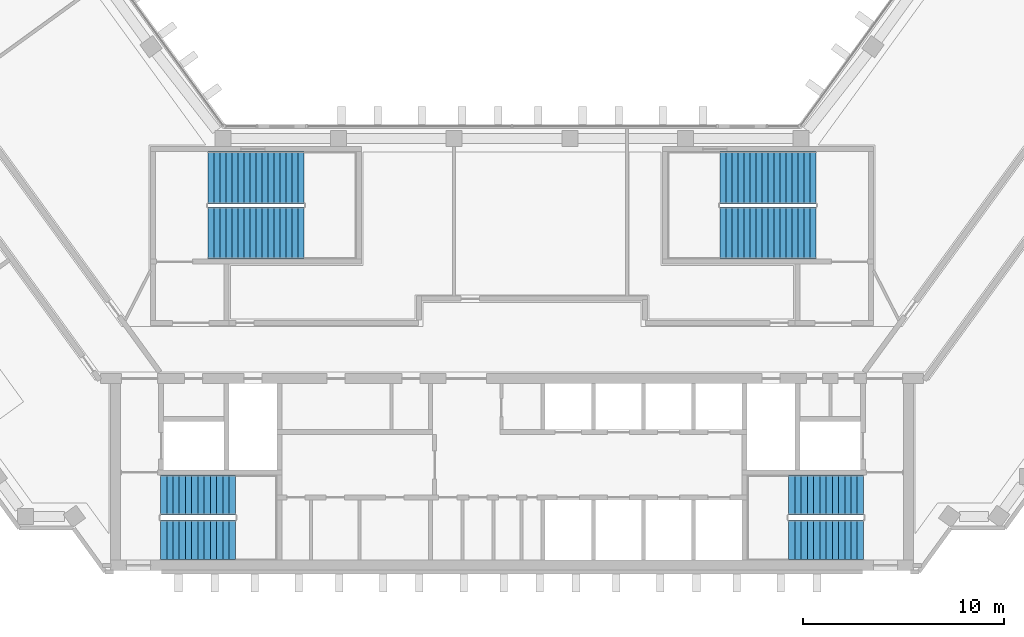
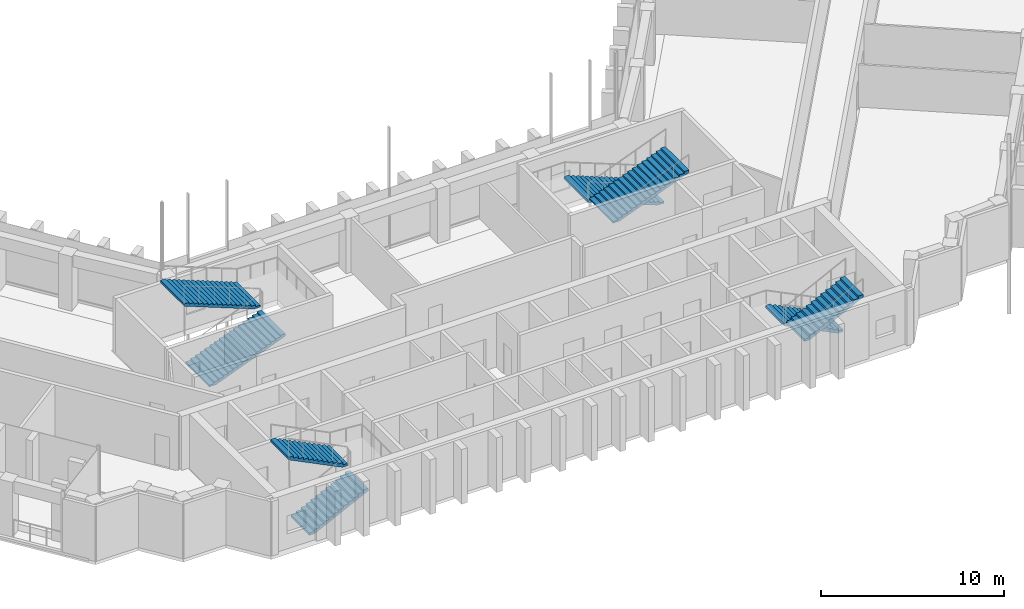
# One storey, part 13 of 15: 8 stair flights, 4 elements without a shape of their own.
"""IFC4 building model written with IfcOpenShell, lengths in metres."""

import ifcopenshell
import ifcopenshell.guid

model = None  # the IFC model being written
_history = None  # IfcOwnerHistory: only IFC2X3 demands one
_inside = {}  # id of a spatial element -> (the spatial element, [elements in it])
_under = {}  # id of a project, library or spatial element -> (it, [spatial elements below it])
_declared = {}  # id of a project -> (the project, [libraries it declares])
_typed = {}  # id of a type object -> (the type object, [elements of that type])
_made_of = {}  # id of a material, layer set ... -> (it, [elements and type objects made of it])


def new_model(schema):
    """Start an empty IFC model of exactly this schema.

    Asked for "IFC4X3", IfcOpenShell would pick the latest addendum, in which some entities
    have other attributes; the version numbers below select the first issue.
    IFC2X3 requires an IfcOwnerHistory on every rooted entity: one is made here for all.
    """
    global model, _history
    if schema == "IFC4X3":
        model = ifcopenshell.file(schema_version=(4, 3, 0, 0))
    else:
        model = ifcopenshell.file(schema=schema)
    _inside.clear()
    _under.clear()
    _declared.clear()
    _typed.clear()
    _made_of.clear()
    _history = None
    if model.schema == "IFC2X3":
        org = make("IfcOrganization", Name="unknown")
        user = make(
            "IfcPersonAndOrganization",
            ThePerson=make("IfcPerson", FamilyName="unknown"),
            TheOrganization=org,
        )
        app = make(
            "IfcApplication",
            ApplicationDeveloper=org,
            Version="unknown",
            ApplicationFullName="unknown",
            ApplicationIdentifier="unknown",
        )
        _history = make(
            "IfcOwnerHistory",
            OwningUser=user,
            OwningApplication=app,
            ChangeAction="ADDED",
            CreationDate=0,
        )
    return model


def make(cls, **values):
    """One entity of the class cls with the attributes given. An attribute that is None is left unset."""
    return model.create_entity(
        cls, **{name: value for name, value in values.items() if value is not None}
    )


def rooted(cls, **values):
    """An entity with a GlobalId (a new one), such as an element, a storey or a relation."""
    return make(cls, GlobalId=ifcopenshell.guid.new(), OwnerHistory=_history, **values)


def si_unit(unit_type, name, prefix=None):
    """IfcSIUnit, for example si_unit("LENGTHUNIT", "METRE", prefix="MILLI")."""
    return make("IfcSIUnit", UnitType=unit_type, Prefix=prefix, Name=name)


def assignment(units):
    """IfcUnitAssignment: the units of a project."""
    return None if units is None else make("IfcUnitAssignment", Units=units)


def point(xyz):
    """IfcCartesianPoint."""
    return None if xyz is None else make("IfcCartesianPoint", Coordinates=xyz)


def direction(xyz):
    """IfcDirection."""
    return None if xyz is None else make("IfcDirection", DirectionRatios=xyz)


def frame(location, z_axis=None, x_axis=None):
    """IfcAxis2Placement3D, a coordinate frame: its origin and axes. An axis left out is left unset."""
    return make(
        "IfcAxis2Placement3D",
        Location=point(location),
        Axis=direction(z_axis),
        RefDirection=direction(x_axis),
    )


def origin():
    """The frame at (0, 0, 0) with its axes left unset."""
    return frame((0.0, 0.0, 0.0))


def place(relative_to, where):
    """IfcLocalPlacement: puts the frame where relative to a parent placement (None: the world)."""
    return make(
        "IfcLocalPlacement", PlacementRelTo=relative_to, RelativePlacement=where
    )


def context(
    kind, dimensions, precision=None, world=None, true_north=None, identifier=None
):
    """IfcGeometricRepresentationContext, for example the 3D "Model" context."""
    return make(
        "IfcGeometricRepresentationContext",
        ContextIdentifier=identifier,
        ContextType=kind,
        CoordinateSpaceDimension=dimensions,
        Precision=precision,
        WorldCoordinateSystem=world,
        TrueNorth=true_north,
    )


def subcontext(parent, identifier, kind, view, scale=None):
    """IfcGeometricRepresentationSubContext, for example "Body" below "Model"."""
    return make(
        "IfcGeometricRepresentationSubContext",
        ContextIdentifier=identifier,
        ContextType=kind,
        ParentContext=parent,
        TargetScale=scale,
        TargetView=view,
    )


def project(units=None, contexts=None):
    """IfcProject with its units and contexts."""
    return rooted(
        "IfcProject",
        Name="project",
        RepresentationContexts=contexts,
        UnitsInContext=assignment(units),
    )


def spatial(cls, under=None, at=None, **own):
    """A site, building, storey or space (cls), placed at a placement, below another one or the project."""
    s = rooted(cls, ObjectPlacement=at, **own)
    if under is not None:
        _under.setdefault(under.id(), (under, []))[1].append(s)
    return s


def polyline(points):
    """IfcPolyline through the points."""
    return make("IfcPolyline", Points=[point(p) for p in points])


def outline(outer, holes=None, kind="AREA"):
    """IfcArbitraryClosedProfileDef: a profile drawn as a closed curve; with holes, ...WithVoids."""
    if holes is None:
        return make("IfcArbitraryClosedProfileDef", ProfileType=kind, OuterCurve=outer)
    return make(
        "IfcArbitraryProfileDefWithVoids",
        ProfileType=kind,
        OuterCurve=outer,
        InnerCurves=holes,
    )


def extrude(swept, where, along, depth):
    """IfcExtrudedAreaSolid: the profile swept, set in the frame where, extruded along a direction by depth."""
    return make(
        "IfcExtrudedAreaSolid",
        SweptArea=swept,
        Position=where,
        ExtrudedDirection=direction(along),
        Depth=depth,
    )


def shape(context_of_items, identifier, shape_type, items):
    """IfcShapeRepresentation: the items that make up one representation, for example the "Body"."""
    return make(
        "IfcShapeRepresentation",
        ContextOfItems=context_of_items,
        RepresentationIdentifier=identifier,
        RepresentationType=shape_type,
        Items=items,
    )


def material(Name=None, Category=None):
    """IfcMaterial."""
    return make("IfcMaterial", Name=Name, Category=Category)


def made_of(thing, what):
    """Note that an element or type object is made of a material, layer set ...; save() writes the relation."""
    if what is not None:
        _made_of.setdefault(what.id(), (what, []))[1].append(thing)
    return thing


def type_object(cls, material=None, **own):
    """A type object (cls), such as IfcWallType, which elements share."""
    return made_of(rooted(cls, **own), material)


def element(
    cls,
    number,
    at=None,
    inside=None,
    cuts=None,
    type_object=None,
    material=None,
    context=None,
    identifier="Body",
    shape_type=None,
    held_by="IfcProductDefinitionShape",
    body=None,
    shapes=None,
    **own,
):
    """One element of the class cls, such as IfcWall. Its Tag is "e" and its number.

    at: its placement. inside: the storey or other place that contains it. cuts: it is an
    opening in that element (IfcRelVoidsElement). A single representation is given by context,
    identifier, shape_type and body (its items); several are given by shapes. held_by: the class
    of the entity that holds the representations. save() writes the other relations.
    """
    e = rooted(cls, Tag="e%d" % number, ObjectPlacement=at, **own)
    if body is not None:
        shapes = [shape(context, identifier, shape_type, body)]
    if shapes is not None:
        e.Representation = make(held_by, Representations=shapes)
    if inside is not None:
        _inside.setdefault(inside.id(), (inside, []))[1].append(e)
    if cuts is not None:
        rooted(
            "IfcRelVoidsElement", RelatingBuildingElement=cuts, RelatedOpeningElement=e
        )
    if type_object is not None:
        _typed.setdefault(type_object.id(), (type_object, []))[1].append(e)
    return made_of(e, material)


def aggregate(whole, parts):
    """IfcRelAggregates: a whole, such as a stair, and the parts it consists of."""
    return rooted("IfcRelAggregates", RelatingObject=whole, RelatedObjects=parts)


def save(model, path):
    """Write the relations noted so far, then the file.

    IfcRelAggregates (storeys below a building ...), IfcRelContainedInSpatialStructure (elements
    in a storey), IfcRelDefinesByType, IfcRelAssociatesMaterial and IfcRelDeclares: one each for
    every whole, place, type object, material and project.
    """
    for whole, parts in _under.values():
        aggregate(whole, parts)
    for where, things in _inside.values():
        rooted(
            "IfcRelContainedInSpatialStructure",
            RelatedElements=things,
            RelatingStructure=where,
        )
    for kind, things in _typed.values():
        rooted("IfcRelDefinesByType", RelatedObjects=things, RelatingType=kind)
    for what, things in _made_of.values():
        rooted("IfcRelAssociatesMaterial", RelatedObjects=things, RelatingMaterial=what)
    for by, libraries in _declared.values():
        rooted("IfcRelDeclares", RelatingContext=by, RelatedDefinitions=libraries)
    model.write(path)


model = new_model("IFC4")

# Units and contexts
model_context = context("Model", 3, precision=1e-05, world=origin(), true_north=direction((0.0, 1.0)))
body_context = subcontext(model_context, "Body", "Model", "MODEL_VIEW")
ifc_project = project(units=[si_unit("LENGTHUNIT", "METRE"), si_unit("AREAUNIT", "SQUARE_METRE"), si_unit("VOLUMEUNIT", "CUBIC_METRE"), si_unit("PLANEANGLEUNIT", "RADIAN"), si_unit("MASSUNIT", "GRAM", prefix="KILO")], contexts=[model_context])

# Site, building, storey
site_placement = place(None, origin())
site = spatial("IfcSite", under=ifc_project, at=site_placement, CompositionType="ELEMENT")
building_placement = place(site_placement, origin())
building = spatial("IfcBuilding", under=site, at=building_placement, Name="Quipu Civic Tower", CompositionType="ELEMENT")
storey_placement = place(building_placement, frame((0.0, 0.0, 160.0)))
storey = spatial("IfcBuildingStorey", under=building, at=storey_placement, Name="L37", CompositionType="ELEMENT", Elevation=160.0)

# Stair, stair flights
ifc_material_1 = material(Name="Concrete C40/50", Category="concrete")
stair_type_1 = type_object("IfcStairType", Name="Half turn stair 2000", PredefinedType="HALF_TURN_STAIR", material=ifc_material_1)
stair_1_placement = place(storey_placement, origin())
stair_1 = element("IfcStair", 1, at=stair_1_placement, inside=storey, type_object=stair_type_1, Name="Exit stair 1", PredefinedType="HALF_TURN_STAIR")
ifc_material_2 = material(Name="Concrete C40/50", Category="concrete")
stair_flight_type_1 = type_object("IfcStairFlightType", Name="Stair flight 2000", PredefinedType="STRAIGHT", material=ifc_material_2)
stair_flight_1_placement = place(storey_placement, frame((-17.5, -9.5, 0.0), z_axis=(0.0, 0.0, 1.0), x_axis=(1.0, 0.0, 0.0)))
stair_flight_1 = element("IfcStairFlight", 2, at=stair_flight_1_placement, type_object=stair_flight_type_1, Name="ST-1 flight 1", NumberOfRisers=13, NumberOfTreads=12, PredefinedType="STRAIGHT", RiserHeight=0.153846154, TreadLength=0.31, context=body_context, shape_type="SweptSolid", body=[
    extrude(outline(polyline([(0.0, 0.0), (0.0, 0.15380859375), (0.31005859375, 0.15380859375), (0.31005859375, 0.3076171875), (0.6201171875, 0.3076171875), (0.6201171875, 0.46142578125), (0.929931640625, 0.46142578125), (0.929931640625, 0.615478515625), (1.239990234375, 0.615478515625), (1.239990234375, 0.769287109375), (1.550048828125, 0.769287109375), (1.550048828125, 0.923095703125), (1.860107421875, 0.923095703125), (1.860107421875, 1.076904296875), (2.169921875, 1.076904296875), (2.169921875, 1.230712890625), (2.47998046875, 1.230712890625), (2.47998046875, 1.384521484375), (2.7900390625, 1.384521484375), (2.7900390625, 1.53857421875), (3.10009765625, 1.53857421875), (3.10009765625, 1.6923828125), (3.409912109375, 1.6923828125), (3.409912109375, 1.84619140625), (3.719970703125, 1.84619140625), (3.719970703125, 2.0), (3.719970703125, 1.6787109375), (0.337158203125, 0.0), (0.0, 0.0)])), frame((0.0, 1.0, 0.0), z_axis=(0.0, -1.0, 0.0), x_axis=(1.0, 0.0, 0.0)), (0.0, 0.0, 1.0), 2.0),
])
stair_flight_2_placement = place(storey_placement, frame((-13.780029296875, -7.25, 2.0), z_axis=(0.0, 0.0, 1.0), x_axis=(-1.0, 0.0, 0.0)))
stair_flight_2 = element("IfcStairFlight", 3, at=stair_flight_2_placement, type_object=stair_flight_type_1, Name="ST-1 flight 2", NumberOfRisers=13, NumberOfTreads=12, PredefinedType="STRAIGHT", RiserHeight=0.153846154, TreadLength=0.31, context=body_context, shape_type="SweptSolid", body=[
    extrude(outline(polyline([(0.0, 0.0), (0.0, 0.15380859375), (0.31005859375, 0.15380859375), (0.31005859375, 0.3076171875), (0.6201171875, 0.3076171875), (0.6201171875, 0.46142578125), (0.929931640625, 0.46142578125), (0.929931640625, 0.615478515625), (1.239990234375, 0.615478515625), (1.239990234375, 0.769287109375), (1.550048828125, 0.769287109375), (1.550048828125, 0.923095703125), (1.860107421875, 0.923095703125), (1.860107421875, 1.076904296875), (2.169921875, 1.076904296875), (2.169921875, 1.230712890625), (2.47998046875, 1.230712890625), (2.47998046875, 1.384521484375), (2.7900390625, 1.384521484375), (2.7900390625, 1.53857421875), (3.10009765625, 1.53857421875), (3.10009765625, 1.6923828125), (3.409912109375, 1.6923828125), (3.409912109375, 1.84619140625), (3.719970703125, 1.84619140625), (3.719970703125, 2.0), (3.719970703125, 1.6787109375), (0.337158203125, 0.0), (0.0, 0.0)])), frame((0.0, 1.0, 0.0), z_axis=(0.0, -1.0, 0.0), x_axis=(1.0, 0.0, 0.0)), (0.0, 0.0, 1.0), 2.0),
])
aggregate(stair_1, [stair_flight_1, stair_flight_2])

stair_2_placement = place(storey_placement, origin())
stair_2 = element("IfcStair", 4, at=stair_2_placement, inside=storey, type_object=stair_type_1, Name="Exit stair 2", PredefinedType="HALF_TURN_STAIR")
stair_flight_3_placement = place(storey_placement, frame((17.5, -7.25, 0.0), z_axis=(0.0, 0.0, 1.0), x_axis=(-1.0, 0.0, 0.0)))
stair_flight_3 = element("IfcStairFlight", 5, at=stair_flight_3_placement, type_object=stair_flight_type_1, Name="ST-2 flight 1", NumberOfRisers=13, NumberOfTreads=12, PredefinedType="STRAIGHT", RiserHeight=0.153846154, TreadLength=0.31, context=body_context, shape_type="SweptSolid", body=[
    extrude(outline(polyline([(0.0, 0.0), (0.0, 0.15380859375), (0.31005859375, 0.15380859375), (0.31005859375, 0.3076171875), (0.6201171875, 0.3076171875), (0.6201171875, 0.46142578125), (0.929931640625, 0.46142578125), (0.929931640625, 0.615478515625), (1.239990234375, 0.615478515625), (1.239990234375, 0.769287109375), (1.550048828125, 0.769287109375), (1.550048828125, 0.923095703125), (1.860107421875, 0.923095703125), (1.860107421875, 1.076904296875), (2.169921875, 1.076904296875), (2.169921875, 1.230712890625), (2.47998046875, 1.230712890625), (2.47998046875, 1.384521484375), (2.7900390625, 1.384521484375), (2.7900390625, 1.53857421875), (3.10009765625, 1.53857421875), (3.10009765625, 1.6923828125), (3.409912109375, 1.6923828125), (3.409912109375, 1.84619140625), (3.719970703125, 1.84619140625), (3.719970703125, 2.0), (3.719970703125, 1.6787109375), (0.337158203125, 0.0), (0.0, 0.0)])), frame((0.0, 1.0, 0.0), z_axis=(0.0, -1.0, 0.0), x_axis=(1.0, 0.0, 0.0)), (0.0, 0.0, 1.0), 2.0),
])
stair_flight_4_placement = place(storey_placement, frame((13.780029296875, -9.5, 2.0), z_axis=(0.0, 0.0, 1.0), x_axis=(1.0, 0.0, 0.0)))
stair_flight_4 = element("IfcStairFlight", 6, at=stair_flight_4_placement, type_object=stair_flight_type_1, Name="ST-2 flight 2", NumberOfRisers=13, NumberOfTreads=12, PredefinedType="STRAIGHT", RiserHeight=0.153846154, TreadLength=0.31, context=body_context, shape_type="SweptSolid", body=[
    extrude(outline(polyline([(0.0, 0.0), (0.0, 0.15380859375), (0.31005859375, 0.15380859375), (0.31005859375, 0.3076171875), (0.6201171875, 0.3076171875), (0.6201171875, 0.46142578125), (0.929931640625, 0.46142578125), (0.929931640625, 0.615478515625), (1.239990234375, 0.615478515625), (1.239990234375, 0.769287109375), (1.550048828125, 0.769287109375), (1.550048828125, 0.923095703125), (1.860107421875, 0.923095703125), (1.860107421875, 1.076904296875), (2.169921875, 1.076904296875), (2.169921875, 1.230712890625), (2.47998046875, 1.230712890625), (2.47998046875, 1.384521484375), (2.7900390625, 1.384521484375), (2.7900390625, 1.53857421875), (3.10009765625, 1.53857421875), (3.10009765625, 1.6923828125), (3.409912109375, 1.6923828125), (3.409912109375, 1.84619140625), (3.719970703125, 1.84619140625), (3.719970703125, 2.0), (3.719970703125, 1.6787109375), (0.337158203125, 0.0), (0.0, 0.0)])), frame((0.0, 1.0, 0.0), z_axis=(0.0, -1.0, 0.0), x_axis=(1.0, 0.0, 0.0)), (0.0, 0.0, 1.0), 2.0),
])
aggregate(stair_2, [stair_flight_3, stair_flight_4])

ifc_material_3 = material(Name="Concrete C40/50", Category="concrete")
stair_type_2 = type_object("IfcStairType", Name="Half turn stair 2600", PredefinedType="HALF_TURN_STAIR", material=ifc_material_3)
stair_3_placement = place(storey_placement, origin())
stair_3 = element("IfcStair", 7, at=stair_3_placement, inside=storey, type_object=stair_type_2, Name="Exit stair 3", PredefinedType="HALF_TURN_STAIR")
ifc_material_4 = material(Name="Concrete C40/50", Category="concrete")
stair_flight_type_2 = type_object("IfcStairFlightType", Name="Stair flight 2600", PredefinedType="STRAIGHT", material=ifc_material_4)
stair_flight_5_placement = place(storey_placement, frame((-15.14990234375, 5.800048828125, 0.0), z_axis=(0.0, 0.0, 1.0), x_axis=(1.0, 0.0, 0.0)))
stair_flight_5 = element("IfcStairFlight", 8, at=stair_flight_5_placement, type_object=stair_flight_type_2, Name="ST-3 flight 1", NumberOfRisers=17, NumberOfTreads=16, PredefinedType="STRAIGHT", RiserHeight=0.117647059, TreadLength=0.3, context=body_context, shape_type="SweptSolid", body=[
    extrude(outline(polyline([(0.0, 0.0), (0.0, 0.11767578125), (0.300048828125, 0.11767578125), (0.300048828125, 0.2353515625), (0.60009765625, 0.2353515625), (0.60009765625, 0.35302734375), (0.89990234375, 0.35302734375), (0.89990234375, 0.470703125), (1.199951171875, 0.470703125), (1.199951171875, 0.588134765625), (1.5, 0.588134765625), (1.5, 0.705810546875), (1.800048828125, 0.705810546875), (1.800048828125, 0.823486328125), (2.10009765625, 0.823486328125), (2.10009765625, 0.941162109375), (2.39990234375, 0.941162109375), (2.39990234375, 1.058837890625), (2.699951171875, 1.058837890625), (2.699951171875, 1.176513671875), (3.0, 1.176513671875), (3.0, 1.294189453125), (3.300048828125, 1.294189453125), (3.300048828125, 1.411865234375), (3.60009765625, 1.411865234375), (3.60009765625, 1.529296875), (3.89990234375, 1.529296875), (3.89990234375, 1.64697265625), (4.199951171875, 1.64697265625), (4.199951171875, 1.7646484375), (4.5, 1.7646484375), (4.5, 1.88232421875), (4.800048828125, 1.88232421875), (4.800048828125, 2.0), (4.800048828125, 1.721435546875), (0.41064453125, 0.0), (0.0, 0.0)])), frame((0.0, 1.300048828125, 0.0), z_axis=(0.0, -1.0, 0.0), x_axis=(1.0, 0.0, 0.0)), (0.0, 0.0, 1.0), 2.60009765625),
])
stair_flight_6_placement = place(storey_placement, frame((-10.35009765625, 8.550048828125, 2.0), z_axis=(0.0, 0.0, 1.0), x_axis=(-1.0, 0.0, 0.0)))
stair_flight_6 = element("IfcStairFlight", 9, at=stair_flight_6_placement, type_object=stair_flight_type_2, Name="ST-3 flight 2", NumberOfRisers=17, NumberOfTreads=16, PredefinedType="STRAIGHT", RiserHeight=0.117647059, TreadLength=0.3, context=body_context, shape_type="SweptSolid", body=[
    extrude(outline(polyline([(0.0, 0.0), (0.0, 0.11767578125), (0.300048828125, 0.11767578125), (0.300048828125, 0.2353515625), (0.60009765625, 0.2353515625), (0.60009765625, 0.35302734375), (0.89990234375, 0.35302734375), (0.89990234375, 0.470703125), (1.199951171875, 0.470703125), (1.199951171875, 0.588134765625), (1.5, 0.588134765625), (1.5, 0.705810546875), (1.800048828125, 0.705810546875), (1.800048828125, 0.823486328125), (2.10009765625, 0.823486328125), (2.10009765625, 0.941162109375), (2.39990234375, 0.941162109375), (2.39990234375, 1.058837890625), (2.699951171875, 1.058837890625), (2.699951171875, 1.176513671875), (3.0, 1.176513671875), (3.0, 1.294189453125), (3.300048828125, 1.294189453125), (3.300048828125, 1.411865234375), (3.60009765625, 1.411865234375), (3.60009765625, 1.529296875), (3.89990234375, 1.529296875), (3.89990234375, 1.64697265625), (4.199951171875, 1.64697265625), (4.199951171875, 1.7646484375), (4.5, 1.7646484375), (4.5, 1.88232421875), (4.800048828125, 1.88232421875), (4.800048828125, 2.0), (4.800048828125, 1.721435546875), (0.41064453125, 0.0), (0.0, 0.0)])), frame((0.0, 1.300048828125, 0.0), z_axis=(0.0, -1.0, 0.0), x_axis=(1.0, 0.0, 0.0)), (0.0, 0.0, 1.0), 2.60009765625),
])
aggregate(stair_3, [stair_flight_5, stair_flight_6])

stair_4_placement = place(storey_placement, origin())
stair_4 = element("IfcStair", 10, at=stair_4_placement, inside=storey, type_object=stair_type_2, Name="Exit stair 4", PredefinedType="HALF_TURN_STAIR")
stair_flight_7_placement = place(storey_placement, frame((15.14990234375, 8.550048828125, 0.0), z_axis=(0.0, 0.0, 1.0), x_axis=(-1.0, 0.0, 0.0)))
stair_flight_7 = element("IfcStairFlight", 11, at=stair_flight_7_placement, type_object=stair_flight_type_2, Name="ST-4 flight 1", NumberOfRisers=17, NumberOfTreads=16, PredefinedType="STRAIGHT", RiserHeight=0.117647059, TreadLength=0.3, context=body_context, shape_type="SweptSolid", body=[
    extrude(outline(polyline([(0.0, 0.0), (0.0, 0.11767578125), (0.300048828125, 0.11767578125), (0.300048828125, 0.2353515625), (0.60009765625, 0.2353515625), (0.60009765625, 0.35302734375), (0.89990234375, 0.35302734375), (0.89990234375, 0.470703125), (1.199951171875, 0.470703125), (1.199951171875, 0.588134765625), (1.5, 0.588134765625), (1.5, 0.705810546875), (1.800048828125, 0.705810546875), (1.800048828125, 0.823486328125), (2.10009765625, 0.823486328125), (2.10009765625, 0.941162109375), (2.39990234375, 0.941162109375), (2.39990234375, 1.058837890625), (2.699951171875, 1.058837890625), (2.699951171875, 1.176513671875), (3.0, 1.176513671875), (3.0, 1.294189453125), (3.300048828125, 1.294189453125), (3.300048828125, 1.411865234375), (3.60009765625, 1.411865234375), (3.60009765625, 1.529296875), (3.89990234375, 1.529296875), (3.89990234375, 1.64697265625), (4.199951171875, 1.64697265625), (4.199951171875, 1.7646484375), (4.5, 1.7646484375), (4.5, 1.88232421875), (4.800048828125, 1.88232421875), (4.800048828125, 2.0), (4.800048828125, 1.721435546875), (0.41064453125, 0.0), (0.0, 0.0)])), frame((0.0, 1.300048828125, 0.0), z_axis=(0.0, -1.0, 0.0), x_axis=(1.0, 0.0, 0.0)), (0.0, 0.0, 1.0), 2.60009765625),
])
stair_flight_8_placement = place(storey_placement, frame((10.35009765625, 5.800048828125, 2.0), z_axis=(0.0, 0.0, 1.0), x_axis=(1.0, 0.0, 0.0)))
stair_flight_8 = element("IfcStairFlight", 12, at=stair_flight_8_placement, type_object=stair_flight_type_2, Name="ST-4 flight 2", NumberOfRisers=17, NumberOfTreads=16, PredefinedType="STRAIGHT", RiserHeight=0.117647059, TreadLength=0.3, context=body_context, shape_type="SweptSolid", body=[
    extrude(outline(polyline([(0.0, 0.0), (0.0, 0.11767578125), (0.300048828125, 0.11767578125), (0.300048828125, 0.2353515625), (0.60009765625, 0.2353515625), (0.60009765625, 0.35302734375), (0.89990234375, 0.35302734375), (0.89990234375, 0.470703125), (1.199951171875, 0.470703125), (1.199951171875, 0.588134765625), (1.5, 0.588134765625), (1.5, 0.705810546875), (1.800048828125, 0.705810546875), (1.800048828125, 0.823486328125), (2.10009765625, 0.823486328125), (2.10009765625, 0.941162109375), (2.39990234375, 0.941162109375), (2.39990234375, 1.058837890625), (2.699951171875, 1.058837890625), (2.699951171875, 1.176513671875), (3.0, 1.176513671875), (3.0, 1.294189453125), (3.300048828125, 1.294189453125), (3.300048828125, 1.411865234375), (3.60009765625, 1.411865234375), (3.60009765625, 1.529296875), (3.89990234375, 1.529296875), (3.89990234375, 1.64697265625), (4.199951171875, 1.64697265625), (4.199951171875, 1.7646484375), (4.5, 1.7646484375), (4.5, 1.88232421875), (4.800048828125, 1.88232421875), (4.800048828125, 2.0), (4.800048828125, 1.721435546875), (0.41064453125, 0.0), (0.0, 0.0)])), frame((0.0, 1.300048828125, 0.0), z_axis=(0.0, -1.0, 0.0), x_axis=(1.0, 0.0, 0.0)), (0.0, 0.0, 1.0), 2.60009765625),
])
aggregate(stair_4, [stair_flight_7, stair_flight_8])

save(model, "model.ifc")
